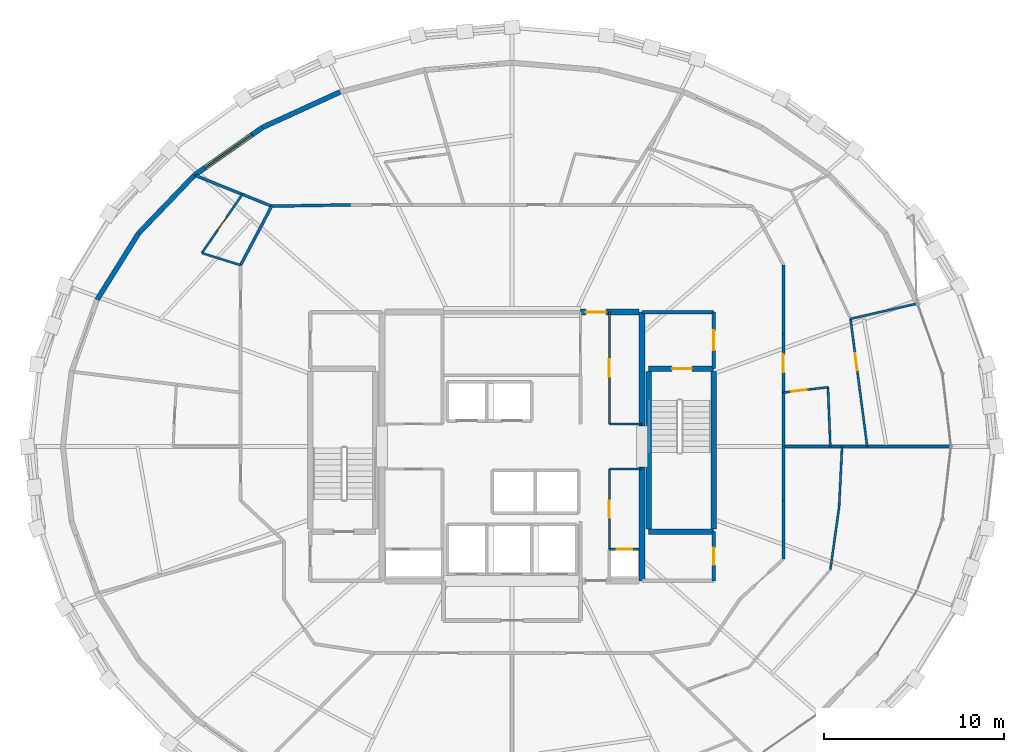
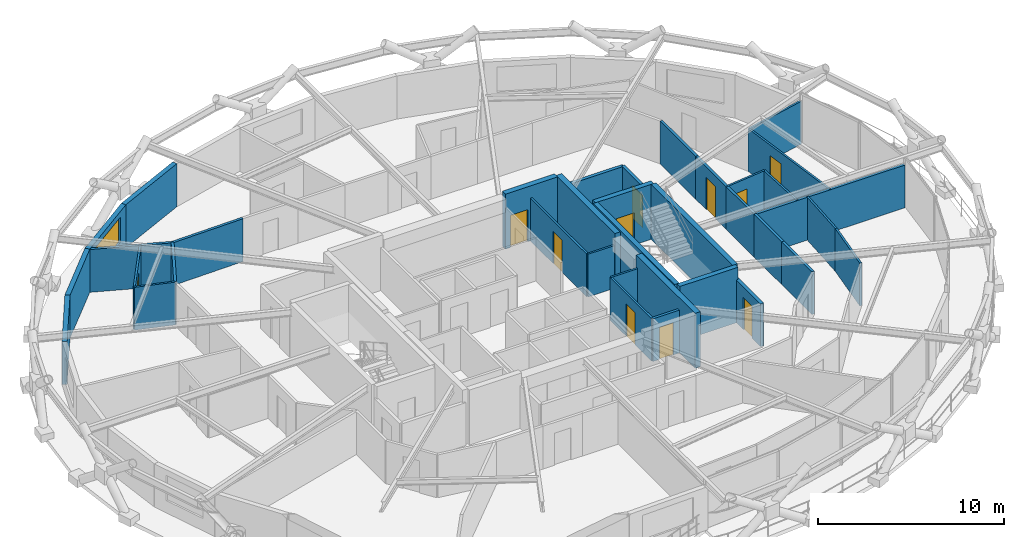
# One storey, part 14 of 16: 36 walls, 11 doors, 1 window, 12 openings.
"""IFC4 building model written with IfcOpenShell, lengths in metres."""

import ifcopenshell
import ifcopenshell.guid

model = None  # the IFC model being written
_history = None  # IfcOwnerHistory: only IFC2X3 demands one
_inside = {}  # id of a spatial element -> (the spatial element, [elements in it])
_under = {}  # id of a project, library or spatial element -> (it, [spatial elements below it])
_declared = {}  # id of a project -> (the project, [libraries it declares])
_typed = {}  # id of a type object -> (the type object, [elements of that type])
_made_of = {}  # id of a material, layer set ... -> (it, [elements and type objects made of it])


def new_model(schema):
    """Start an empty IFC model of exactly this schema.

    Asked for "IFC4X3", IfcOpenShell would pick the latest addendum, in which some entities
    have other attributes; the version numbers below select the first issue.
    IFC2X3 requires an IfcOwnerHistory on every rooted entity: one is made here for all.
    """
    global model, _history
    if schema == "IFC4X3":
        model = ifcopenshell.file(schema_version=(4, 3, 0, 0))
    else:
        model = ifcopenshell.file(schema=schema)
    _inside.clear()
    _under.clear()
    _declared.clear()
    _typed.clear()
    _made_of.clear()
    _history = None
    if model.schema == "IFC2X3":
        org = make("IfcOrganization", Name="unknown")
        user = make(
            "IfcPersonAndOrganization",
            ThePerson=make("IfcPerson", FamilyName="unknown"),
            TheOrganization=org,
        )
        app = make(
            "IfcApplication",
            ApplicationDeveloper=org,
            Version="unknown",
            ApplicationFullName="unknown",
            ApplicationIdentifier="unknown",
        )
        _history = make(
            "IfcOwnerHistory",
            OwningUser=user,
            OwningApplication=app,
            ChangeAction="ADDED",
            CreationDate=0,
        )
    return model


def make(cls, **values):
    """One entity of the class cls with the attributes given. An attribute that is None is left unset."""
    return model.create_entity(
        cls, **{name: value for name, value in values.items() if value is not None}
    )


def rooted(cls, **values):
    """An entity with a GlobalId (a new one), such as an element, a storey or a relation."""
    return make(cls, GlobalId=ifcopenshell.guid.new(), OwnerHistory=_history, **values)


def si_unit(unit_type, name, prefix=None):
    """IfcSIUnit, for example si_unit("LENGTHUNIT", "METRE", prefix="MILLI")."""
    return make("IfcSIUnit", UnitType=unit_type, Prefix=prefix, Name=name)


def assignment(units):
    """IfcUnitAssignment: the units of a project."""
    return None if units is None else make("IfcUnitAssignment", Units=units)


def point(xyz):
    """IfcCartesianPoint."""
    return None if xyz is None else make("IfcCartesianPoint", Coordinates=xyz)


def direction(xyz):
    """IfcDirection."""
    return None if xyz is None else make("IfcDirection", DirectionRatios=xyz)


def frame(location, z_axis=None, x_axis=None):
    """IfcAxis2Placement3D, a coordinate frame: its origin and axes. An axis left out is left unset."""
    return make(
        "IfcAxis2Placement3D",
        Location=point(location),
        Axis=direction(z_axis),
        RefDirection=direction(x_axis),
    )


def frame_2d(location, x_axis=None):
    """IfcAxis2Placement2D, a coordinate frame in the plane: its origin and x axis."""
    return make(
        "IfcAxis2Placement2D", Location=point(location), RefDirection=direction(x_axis)
    )


def origin():
    """The frame at (0, 0, 0) with its axes left unset."""
    return frame((0.0, 0.0, 0.0))


def place(relative_to, where):
    """IfcLocalPlacement: puts the frame where relative to a parent placement (None: the world)."""
    return make(
        "IfcLocalPlacement", PlacementRelTo=relative_to, RelativePlacement=where
    )


def context(
    kind, dimensions, precision=None, world=None, true_north=None, identifier=None
):
    """IfcGeometricRepresentationContext, for example the 3D "Model" context."""
    return make(
        "IfcGeometricRepresentationContext",
        ContextIdentifier=identifier,
        ContextType=kind,
        CoordinateSpaceDimension=dimensions,
        Precision=precision,
        WorldCoordinateSystem=world,
        TrueNorth=true_north,
    )


def subcontext(parent, identifier, kind, view, scale=None):
    """IfcGeometricRepresentationSubContext, for example "Body" below "Model"."""
    return make(
        "IfcGeometricRepresentationSubContext",
        ContextIdentifier=identifier,
        ContextType=kind,
        ParentContext=parent,
        TargetScale=scale,
        TargetView=view,
    )


def project(units=None, contexts=None):
    """IfcProject with its units and contexts."""
    return rooted(
        "IfcProject",
        Name="project",
        RepresentationContexts=contexts,
        UnitsInContext=assignment(units),
    )


def spatial(cls, under=None, at=None, **own):
    """A site, building, storey or space (cls), placed at a placement, below another one or the project."""
    s = rooted(cls, ObjectPlacement=at, **own)
    if under is not None:
        _under.setdefault(under.id(), (under, []))[1].append(s)
    return s


def profile(cls, at=None, kind="AREA", **sizes):
    """A parametric profile (cls). Its sizes go by their IFC names, for example OverallWidth=200.0."""
    return make(cls, ProfileType=kind, Position=at, **sizes)


def rectangle(**sizes):
    """IfcRectangleProfileDef."""
    return profile("IfcRectangleProfileDef", **sizes)


def extrude(swept, where, along, depth):
    """IfcExtrudedAreaSolid: the profile swept, set in the frame where, extruded along a direction by depth."""
    return make(
        "IfcExtrudedAreaSolid",
        SweptArea=swept,
        Position=where,
        ExtrudedDirection=direction(along),
        Depth=depth,
    )


def shape(context_of_items, identifier, shape_type, items):
    """IfcShapeRepresentation: the items that make up one representation, for example the "Body"."""
    return make(
        "IfcShapeRepresentation",
        ContextOfItems=context_of_items,
        RepresentationIdentifier=identifier,
        RepresentationType=shape_type,
        Items=items,
    )


def material(Name=None, Category=None):
    """IfcMaterial."""
    return make("IfcMaterial", Name=Name, Category=Category)


def layer(
    of_material, thickness, ventilated=None, Name=None, Category=None, Priority=None
):
    """IfcMaterialLayer: one layer of a wall or slab, of a material (None: an air gap)."""
    return make(
        "IfcMaterialLayer",
        Material=of_material,
        LayerThickness=thickness,
        IsVentilated=ventilated,
        Name=Name,
        Category=Category,
        Priority=Priority,
    )


def layer_set(layers, Name=None):
    """IfcMaterialLayerSet."""
    return make("IfcMaterialLayerSet", MaterialLayers=layers, LayerSetName=Name)


def made_of(thing, what):
    """Note that an element or type object is made of a material, layer set ...; save() writes the relation."""
    if what is not None:
        _made_of.setdefault(what.id(), (what, []))[1].append(thing)
    return thing


def type_object(cls, material=None, **own):
    """A type object (cls), such as IfcWallType, which elements share."""
    return made_of(rooted(cls, **own), material)


def element(
    cls,
    number,
    at=None,
    inside=None,
    cuts=None,
    type_object=None,
    material=None,
    context=None,
    identifier="Body",
    shape_type=None,
    held_by="IfcProductDefinitionShape",
    body=None,
    shapes=None,
    **own,
):
    """One element of the class cls, such as IfcWall. Its Tag is "e" and its number.

    at: its placement. inside: the storey or other place that contains it. cuts: it is an
    opening in that element (IfcRelVoidsElement). A single representation is given by context,
    identifier, shape_type and body (its items); several are given by shapes. held_by: the class
    of the entity that holds the representations. save() writes the other relations.
    """
    e = rooted(cls, Tag="e%d" % number, ObjectPlacement=at, **own)
    if body is not None:
        shapes = [shape(context, identifier, shape_type, body)]
    if shapes is not None:
        e.Representation = make(held_by, Representations=shapes)
    if inside is not None:
        _inside.setdefault(inside.id(), (inside, []))[1].append(e)
    if cuts is not None:
        rooted(
            "IfcRelVoidsElement", RelatingBuildingElement=cuts, RelatedOpeningElement=e
        )
    if type_object is not None:
        _typed.setdefault(type_object.id(), (type_object, []))[1].append(e)
    return made_of(e, material)


def fill(opening, filler):
    """IfcRelFillsElement: the door or window that sits in an opening."""
    return rooted(
        "IfcRelFillsElement",
        RelatingOpeningElement=opening,
        RelatedBuildingElement=filler,
    )


def aggregate(whole, parts):
    """IfcRelAggregates: a whole, such as a stair, and the parts it consists of."""
    return rooted("IfcRelAggregates", RelatingObject=whole, RelatedObjects=parts)


def save(model, path):
    """Write the relations noted so far, then the file.

    IfcRelAggregates (storeys below a building ...), IfcRelContainedInSpatialStructure (elements
    in a storey), IfcRelDefinesByType, IfcRelAssociatesMaterial and IfcRelDeclares: one each for
    every whole, place, type object, material and project.
    """
    for whole, parts in _under.values():
        aggregate(whole, parts)
    for where, things in _inside.values():
        rooted(
            "IfcRelContainedInSpatialStructure",
            RelatedElements=things,
            RelatingStructure=where,
        )
    for kind, things in _typed.values():
        rooted("IfcRelDefinesByType", RelatedObjects=things, RelatingType=kind)
    for what, things in _made_of.values():
        rooted("IfcRelAssociatesMaterial", RelatedObjects=things, RelatingMaterial=what)
    for by, libraries in _declared.values():
        rooted("IfcRelDeclares", RelatingContext=by, RelatedDefinitions=libraries)
    model.write(path)


model = new_model("IFC4")

# Units and contexts
model_context = context("Model", 3, precision=1e-05, world=origin(), true_north=direction((0.0, 1.0)))
body_context = subcontext(model_context, "Body", "Model", "MODEL_VIEW")
ifc_project = project(units=[si_unit("LENGTHUNIT", "METRE"), si_unit("AREAUNIT", "SQUARE_METRE"), si_unit("VOLUMEUNIT", "CUBIC_METRE"), si_unit("PLANEANGLEUNIT", "RADIAN"), si_unit("MASSUNIT", "GRAM", prefix="KILO")], contexts=[model_context])

# Site, building, storey
site_placement = place(None, origin())
site = spatial("IfcSite", under=ifc_project, at=site_placement, CompositionType="ELEMENT")
building_placement = place(site_placement, origin())
building = spatial("IfcBuilding", under=site, at=building_placement, Name="Veldorina Hangang Commons", CompositionType="ELEMENT")
storey_placement = place(building_placement, frame((0.0, 0.0, 192.800048828125)))
storey = spatial("IfcBuildingStorey", under=building, at=storey_placement, Name="L50", CompositionType="ELEMENT", Elevation=192.800048828125)

# Walls
ifc_material_1 = material(Name="Concrete C60/75", Category="concrete")
ifc_layer_1 = layer(ifc_material_1, 0.340087890625)
ifc_layer_set_1 = layer_set([ifc_layer_1], Name="Concrete C60/75")
wall_type_1 = type_object("IfcWallType", Name="CW-RC340-C60", PredefinedType="SHEAR", material=ifc_layer_set_1)
for number, where, z_axis, x_axis, name in (
    (1, (39.199951171875, 16.550048828125, 0.0), (0.0, 0.0, 1.0), (0.0, 1.0, 0.0), "L50 E south core shear wall"),
    (2, (39.199951171875, 25.14990234375, 0.0), (0.0, 0.0, 1.0), (0.0, 1.0, 0.0), "L50 E north core shear wall"),
):
    element("IfcWall", number, at=place(storey_placement, frame(where, z_axis=z_axis, x_axis=x_axis)), inside=storey, type_object=wall_type_1, Name=name, PredefinedType="SHEAR", context=body_context, shape_type="SweptSolid", body=[
        extrude(rectangle(XDim=6.300048828125, YDim=0.340087890625, at=frame_2d((3.14990234375, 0.0))), origin(), (0.0, 0.0, 1.0), 3.599853515625),
    ])

# Wall, opening, door
wall_1_placement = place(storey_placement, frame((35.800048828125, 31.449951171875, 0.0), z_axis=(0.0, 0.0, 1.0), x_axis=(1.0, 0.0, 0.0)))
wall_1 = element("IfcWall", 3, at=wall_1_placement, inside=storey, type_object=wall_type_1, Name="L50 north-east core shear wall", PredefinedType="SHEAR", context=body_context, shape_type="SweptSolid", body=[
    extrude(rectangle(XDim=3.22998046875, YDim=0.340087890625, at=frame_2d((1.614990234375, 0.0))), origin(), (0.0, 0.0, 1.0), 3.599853515625),
])
opening_1_placement = place(wall_1_placement, frame((0.300048828125, 0.0, 0.0)))
opening_1 = element("IfcOpeningElement", 4, at=opening_1_placement, cuts=wall_1, Name="Opening D-08", PredefinedType="OPENING", context=body_context, shape_type="SweptSolid", body=[
    extrude(rectangle(XDim=1.10009765625, YDim=2.10009765625, at=frame_2d((0.550048828125, 1.050048828125))), frame((0.0, 0.18017578125, 0.0), z_axis=(0.0, -1.0, 0.0), x_axis=(1.0, 0.0, 0.0)), (0.0, 0.0, 1.0), 0.360107421875),
])
ifc_material_2 = material(Name="Steel Fire-Rated Smoke Seal", Category="steel")
door_type_1 = type_object("IfcDoorType", Name="DR-FIRE-1100", OperationType="SINGLE_SWING_RIGHT", PredefinedType="DOOR", material=ifc_material_2)
door_1_placement = place(opening_1_placement, origin())
door_1 = element("IfcDoor", 5, at=door_1_placement, inside=storey, type_object=door_type_1, Name="L50 central lift lobby north corridor door", OperationType="SINGLE_SWING_LEFT", OverallHeight=2.10009765625, OverallWidth=1.10009765625, PredefinedType="DOOR", context=body_context, shape_type="SweptSolid", body=[
    extrude(rectangle(XDim=1.10009765625, YDim=2.10009765625, at=frame_2d((0.550048828125, 1.050048828125))), frame((0.0, 0.02490234375, 0.0), z_axis=(0.0, -1.0, 0.0), x_axis=(1.0, 0.0, 0.0)), (0.0, 0.0, 1.0), 0.050048828125),
])
fill(opening_1, door_1)

# Wall
ifc_material_3 = material(Name="Stone Roman Travertine", Category="masonry")
ifc_layer_2 = layer(ifc_material_3, 0.280029296875)
ifc_layer_set_2 = layer_set([ifc_layer_2], Name="Stone Roman Travertine")
wall_type_2 = type_object("IfcWallType", Name="EW-TRAV-280", PredefinedType="STANDARD", material=ifc_layer_set_2)
wall_2_placement = place(storey_placement, frame((22.47119140625, 43.65966796875, 0.0), z_axis=(0.0, 0.0, 1.0), x_axis=(-0.909587572303, -0.415512272155, 0.0)))
element("IfcWall", 6, at=wall_2_placement, inside=storey, type_object=wall_type_2, Name="L50 travertine facade wall 10", PredefinedType="STANDARD", context=body_context, shape_type="SweptSolid", body=[
    extrude(rectangle(XDim=4.73291015625, YDim=0.280029296875, at=frame_2d((2.366455078125, 0.0))), origin(), (0.0, 0.0, 1.0), 2.820068359375),
])

# Wall, opening, window
wall_3_placement = place(storey_placement, frame((18.166259765625, 41.693115234375, 0.0), z_axis=(0.0, 0.0, 1.0), x_axis=(-0.818721405334, -0.574190961657, 0.0)))
wall_3 = element("IfcWall", 7, at=wall_3_placement, inside=storey, type_object=wall_type_2, Name="L50 travertine facade wall 11", PredefinedType="STANDARD", context=body_context, shape_type="SweptSolid", body=[
    extrude(rectangle(XDim=4.608642578125, YDim=0.280029296875, at=frame_2d((2.30419921875, 0.0))), origin(), (0.0, 0.0, 1.0), 2.820068359375),
])
opening_2_placement = place(wall_3_placement, frame((0.704345703125, 0.0, 0.800048828125)))
opening_2 = element("IfcOpeningElement", 8, at=opening_2_placement, cuts=wall_3, Name="Opening W-01", PredefinedType="OPENING", context=body_context, shape_type="SweptSolid", body=[
    extrude(rectangle(XDim=3.199951171875, YDim=1.64990234375, at=frame_2d((1.60009765625, 0.824951171875))), frame((0.0, 0.14990234375, 0.0), z_axis=(0.0, -1.0, 0.0), x_axis=(1.0, 0.0, 0.0)), (0.0, 0.0, 1.0), 0.300048828125),
])
ifc_material_4 = material(Name="Glass Low-E Triple IGU", Category="glass")
window_type = type_object("IfcWindowType", Name="WIN-TWR-3200", PartitioningType="SINGLE_PANEL", PredefinedType="WINDOW", material=ifc_material_4)
window_placement = place(opening_2_placement, origin())
window = element("IfcWindow", 9, at=window_placement, inside=storey, type_object=window_type, Name="L50 facade window 11", OverallHeight=1.64990234375, OverallWidth=3.199951171875, PartitioningType="SINGLE_PANEL", PredefinedType="WINDOW", context=body_context, shape_type="SweptSolid", body=[
    extrude(rectangle(XDim=3.199951171875, YDim=1.64990234375, at=frame_2d((1.60009765625, 0.824951171875))), frame((0.0, 0.030029296875, 0.0), z_axis=(0.0, -1.0, 0.0), x_axis=(1.0, 0.0, 0.0)), (0.0, 0.0, 1.0), 0.06005859375),
])
fill(opening_2, window)

# Walls
wall_4_placement = place(storey_placement, frame((14.39306640625, 39.046875, 0.0), z_axis=(0.0, 0.0, 1.0), x_axis=(-0.692654585046, -0.721269454375, 0.0)))
element("IfcWall", 10, at=wall_4_placement, inside=storey, type_object=wall_type_2, Name="L50 travertine facade wall 12", PredefinedType="STANDARD", context=body_context, shape_type="SweptSolid", body=[
    extrude(rectangle(XDim=4.470703125, YDim=0.280029296875, at=frame_2d((2.2353515625, 0.0))), origin(), (0.0, 0.0, 1.0), 2.820068359375),
])
wall_5_placement = place(storey_placement, frame((11.29638671875, 35.822265625, 0.0), z_axis=(0.0, 0.0, 1.0), x_axis=(-0.530277064752, -0.847824412599, 0.0)))
element("IfcWall", 11, at=wall_5_placement, inside=storey, type_object=wall_type_2, Name="L50 travertine facade wall 13", PredefinedType="STANDARD", context=body_context, shape_type="SweptSolid", body=[
    extrude(rectangle(XDim=4.33935546875, YDim=0.280029296875, at=frame_2d((2.169677734375, 0.0))), origin(), (0.0, 0.0, 1.0), 2.820068359375),
])
ifc_material_5 = material(Name="Concrete C50/60", Category="concrete")
ifc_layer_3 = layer(ifc_material_5, 0.300048828125)
ifc_layer_set_3 = layer_set([ifc_layer_3], Name="Concrete C50/60")
wall_type_3 = type_object("IfcWallType", Name="SW-STAIR-300", PredefinedType="SHEAR", material=ifc_layer_set_3)
for number, where, z_axis, x_axis, name in (
    (12, (43.179931640625, 19.429931640625, 0.0), (0.0, 0.0, 1.0), (0.0, 1.0, 0.0), "L50 ST2 outer stair shear wall"),
    (13, (39.580078125, 19.429931640625, 0.0), (0.0, 0.0, 1.0), (0.0, 1.0, 0.0), "L50 ST2 inner stair shear wall"),
):
    element("IfcWall", number, at=place(storey_placement, frame(where, z_axis=z_axis, x_axis=x_axis)), inside=storey, type_object=wall_type_3, Name=name, PredefinedType="SHEAR", context=body_context, shape_type="SweptSolid", body=[
        extrude(rectangle(XDim=8.739990234375, YDim=0.300048828125, at=frame_2d((4.3701171875, 0.0))), origin(), (0.0, 0.0, 1.0), 3.599853515625),
    ])
wall_6_placement = place(storey_placement, frame((39.580078125, 19.280029296875, 0.0), z_axis=(0.0, 0.0, 1.0), x_axis=(1.0, 0.0, 0.0)))
element("IfcWall", 14, at=wall_6_placement, inside=storey, type_object=wall_type_3, Name="L50 ST2 south stair shear wall", PredefinedType="SHEAR", context=body_context, shape_type="SweptSolid", body=[
    extrude(rectangle(XDim=3.599853515625, YDim=0.300048828125, at=frame_2d((1.7998046875, 0.0))), origin(), (0.0, 0.0, 1.0), 3.599853515625),
])

# Wall, opening, door
wall_7_placement = place(storey_placement, frame((39.580078125, 28.320068359375, 0.0), z_axis=(0.0, 0.0, 1.0), x_axis=(1.0, 0.0, 0.0)))
wall_7 = element("IfcWall", 15, at=wall_7_placement, inside=storey, type_object=wall_type_3, Name="L50 ST2 north stair shear wall", PredefinedType="SHEAR", context=body_context, shape_type="SweptSolid", body=[
    extrude(rectangle(XDim=3.599853515625, YDim=0.300048828125, at=frame_2d((1.7998046875, 0.0))), origin(), (0.0, 0.0, 1.0), 3.599853515625),
])
opening_3_placement = place(wall_7_placement, frame((1.300048828125, 0.0, 0.0)))
opening_3 = element("IfcOpeningElement", 16, at=opening_3_placement, cuts=wall_7, Name="Opening D-08", PredefinedType="OPENING", context=body_context, shape_type="SweptSolid", body=[
    extrude(rectangle(XDim=1.10009765625, YDim=2.10009765625, at=frame_2d((0.550048828125, 1.050048828125))), frame((0.0, 0.16015625, 0.0), z_axis=(0.0, -1.0, 0.0), x_axis=(1.0, 0.0, 0.0)), (0.0, 0.0, 1.0), 0.320068359375),
])
door_2_placement = place(opening_3_placement, origin())
door_2 = element("IfcDoor", 17, at=door_2_placement, inside=storey, type_object=door_type_1, Name="L50 Special Escape Stair ST-2 door", OperationType="SINGLE_SWING_RIGHT", OverallHeight=2.10009765625, OverallWidth=1.10009765625, PredefinedType="DOOR", context=body_context, shape_type="SweptSolid", body=[
    extrude(rectangle(XDim=1.10009765625, YDim=2.10009765625, at=frame_2d((0.550048828125, 1.050048828125))), frame((0.0, 0.02490234375, 0.0), z_axis=(0.0, -1.0, 0.0), x_axis=(1.0, 0.0, 0.0)), (0.0, 0.0, 1.0), 0.050048828125),
])
fill(opening_3, door_2)

ifc_material_6 = material(Name="Gypsum Fire-Rated Twin Stud Wall", Category="gypsum")
ifc_layer_4 = layer(ifc_material_6, 0.159912109375)
ifc_layer_set_4 = layer_set([ifc_layer_4], Name="Gypsum Fire-Rated Twin Stud Wall")
wall_type_4 = type_object("IfcWallType", Name="WL-FIRE-160", PredefinedType="SOLIDWALL", material=ifc_layer_set_4)
wall_8_placement = place(storey_placement, frame((37.39990234375, 18.300048828125, 0.0), z_axis=(0.0, 0.0, 1.0), x_axis=(1.0, 0.0, 0.0)))
wall_8 = element("IfcWall", 18, at=wall_8_placement, inside=storey, type_object=wall_type_4, Name="L50 Plumbing riser wall 036", PredefinedType="SOLIDWALL", context=body_context, shape_type="SweptSolid", body=[
    extrude(rectangle(XDim=1.650146484375, YDim=0.159912109375, at=frame_2d((0.8251953125, 0.0))), origin(), (0.0, 0.0, 1.0), 2.800048828125),
])
opening_4_placement = place(wall_8_placement, frame((0.39501953125, 0.0, 0.0)))
opening_4 = element("IfcOpeningElement", 19, at=opening_4_placement, cuts=wall_8, Name="Opening D-01N", PredefinedType="OPENING", context=body_context, shape_type="SweptSolid", body=[
    extrude(rectangle(XDim=0.860107421875, YDim=2.10009765625, at=frame_2d((0.43017578125, 1.050048828125))), frame((0.0, 0.08984375, 0.0), z_axis=(0.0, -1.0, 0.0), x_axis=(1.0, 0.0, 0.0)), (0.0, 0.0, 1.0), 0.179931640625),
])
ifc_material_7 = material(Name="Timber Fire-Rated Core", Category="wood")
door_type_2 = type_object("IfcDoorType", Name="DR-INT-860", OperationType="SINGLE_SWING_LEFT", PredefinedType="DOOR", material=ifc_material_7)
door_3_placement = place(opening_4_placement, origin())
door_3 = element("IfcDoor", 20, at=door_3_placement, inside=storey, type_object=door_type_2, Name="L50 Plumbing riser access door 013", OperationType="SINGLE_SWING_LEFT", OverallHeight=2.10009765625, OverallWidth=0.860107421875, PredefinedType="TRAPDOOR", context=body_context, shape_type="SweptSolid", body=[
    extrude(rectangle(XDim=0.860107421875, YDim=2.10009765625, at=frame_2d((0.43017578125, 1.050048828125))), frame((0.0, 0.02490234375, 0.0), z_axis=(0.0, -1.0, 0.0), x_axis=(1.0, 0.0, 0.0)), (0.0, 0.0, 1.0), 0.050048828125),
])
fill(opening_4, door_3)

# Wall
wall_9_placement = place(storey_placement, frame((47.050048828125, 24.0, 0.0), z_axis=(0.0, 0.0, 1.0), x_axis=(0.0, 1.0, 0.0)))
element("IfcWall", 21, at=wall_9_placement, inside=storey, type_object=wall_type_4, Name="L50 U-corridor outer wall 00 044", PredefinedType="SOLIDWALL", context=body_context, shape_type="SweptSolid", body=[
    extrude(rectangle(XDim=2.99365234375, YDim=0.159912109375, at=frame_2d((1.496826171875, 0.0))), origin(), (0.0, 0.0, 1.0), 2.800048828125),
])

# Wall, opening, door
wall_10_placement = place(storey_placement, frame((47.050048828125, 26.99365234375, 0.0), z_axis=(0.0, 0.0, 1.0), x_axis=(0.0, 1.0, 0.0)))
wall_10 = element("IfcWall", 22, at=wall_10_placement, inside=storey, type_object=wall_type_4, Name="L50 U-corridor outer wall 01 045", PredefinedType="SOLIDWALL", context=body_context, shape_type="SweptSolid", body=[
    extrude(rectangle(XDim=3.240234375, YDim=0.159912109375, at=frame_2d((1.6201171875, 0.0))), origin(), (0.0, 0.0, 1.0), 2.800048828125),
])
opening_5_placement = place(wall_10_placement, frame((1.1201171875, 0.0, 0.0)))
opening_5 = element("IfcOpeningElement", 23, at=opening_5_placement, cuts=wall_10, Name="Opening D-06", PredefinedType="OPENING", context=body_context, shape_type="SweptSolid", body=[
    extrude(rectangle(XDim=1.0, YDim=2.10009765625, at=frame_2d((0.5, 1.050048828125))), frame((0.0, 0.08984375, 0.0), z_axis=(0.0, -1.0, 0.0), x_axis=(1.0, 0.0, 0.0)), (0.0, 0.0, 1.0), 0.179931640625),
])
ifc_material_8 = material(Name="Timber Fire-Rated Entrance Core", Category="wood")
door_type_3 = type_object("IfcDoorType", Name="DR-UNIT-1000", OperationType="SINGLE_SWING_LEFT", PredefinedType="DOOR", material=ifc_material_8)
door_4_placement = place(opening_5_placement, origin())
door_4 = element("IfcDoor", 24, at=door_4_placement, inside=storey, type_object=door_type_3, Name="L50 Cluster 2 entrance door 021", OperationType="SINGLE_SWING_LEFT", OverallHeight=2.10009765625, OverallWidth=1.0, PredefinedType="DOOR", context=body_context, shape_type="SweptSolid", body=[
    extrude(rectangle(XDim=1.0, YDim=2.10009765625, at=frame_2d((0.5, 1.050048828125))), frame((0.0, 0.02490234375, 0.0), z_axis=(0.0, -1.0, 0.0), x_axis=(1.0, 0.0, 0.0)), (0.0, 0.0, 1.0), 0.050048828125),
])
fill(opening_5, door_4)

# Walls
wall_11_placement = place(storey_placement, frame((47.050048828125, 30.23388671875, 0.0), z_axis=(0.0, 0.0, 1.0), x_axis=(0.0, 1.0, 0.0)))
element("IfcWall", 25, at=wall_11_placement, inside=storey, type_object=wall_type_4, Name="L50 U-corridor outer wall 02 046", PredefinedType="SOLIDWALL", context=body_context, shape_type="SweptSolid", body=[
    extrude(rectangle(XDim=3.822265625, YDim=0.159912109375, at=frame_2d((1.9111328125, 0.0))), origin(), (0.0, 0.0, 1.0), 2.800048828125),
])
wall_12_placement = place(storey_placement, frame((23.04638671875, 37.39990234375, 0.0), z_axis=(0.0, 0.0, 1.0), x_axis=(-0.999853038912, -0.017143528788, 0.0)))
element("IfcWall", 26, at=wall_12_placement, inside=storey, type_object=wall_type_4, Name="L50 U-corridor outer wall 11 055", PredefinedType="SOLIDWALL", context=body_context, shape_type="SweptSolid", body=[
    extrude(rectangle(XDim=4.3720703125, YDim=0.159912109375, at=frame_2d((2.18603515625, 0.0))), origin(), (0.0, 0.0, 1.0), 2.800048828125),
])
wall_13_placement = place(storey_placement, frame((18.675048828125, 37.324951171875, 0.0), z_axis=(0.0, 0.0, 1.0), x_axis=(-0.466737093093, -0.884396113702, 0.0)))
element("IfcWall", 27, at=wall_13_placement, inside=storey, type_object=wall_type_4, Name="L50 U-corridor outer wall 12 056", PredefinedType="SOLIDWALL", context=body_context, shape_type="SweptSolid", body=[
    extrude(rectangle(XDim=3.696044921875, YDim=0.159912109375, at=frame_2d((1.84814453125, 0.0))), origin(), (0.0, 0.0, 1.0), 2.800048828125),
])
wall_14_placement = place(storey_placement, frame((47.050048828125, 17.76611328125, 0.0), z_axis=(0.0, 0.0, 1.0), x_axis=(0.0, 1.0, 0.0)))
element("IfcWall", 28, at=wall_14_placement, inside=storey, type_object=wall_type_4, Name="L50 U-corridor outer wall 30 074", PredefinedType="SOLIDWALL", context=body_context, shape_type="SweptSolid", body=[
    extrude(rectangle(XDim=3.240234375, YDim=0.159912109375, at=frame_2d((1.6201171875, 0.0))), origin(), (0.0, 0.0, 1.0), 2.800048828125),
])
wall_15_placement = place(storey_placement, frame((47.050048828125, 21.00634765625, 0.0), z_axis=(0.0, 0.0, 1.0), x_axis=(0.0, 1.0, 0.0)))
element("IfcWall", 29, at=wall_15_placement, inside=storey, type_object=wall_type_4, Name="L50 U-corridor outer wall 31 075", PredefinedType="SOLIDWALL", context=body_context, shape_type="SweptSolid", body=[
    extrude(rectangle(XDim=2.99365234375, YDim=0.159912109375, at=frame_2d((1.496826171875, 0.0))), origin(), (0.0, 0.0, 1.0), 2.800048828125),
])
wall_16_placement = place(storey_placement, frame((47.050048828125, 24.0, 0.0), z_axis=(0.0, 0.0, 1.0), x_axis=(1.0, 0.0, 0.0)))
element("IfcWall", 30, at=wall_16_placement, inside=storey, type_object=wall_type_4, Name="L50 Unit party wall 00 082", PredefinedType="SOLIDWALL", context=body_context, shape_type="SweptSolid", body=[
    extrude(rectangle(XDim=9.239990234375, YDim=0.159912109375, at=frame_2d((4.6201171875, 0.0))), origin(), (0.0, 0.0, 1.0), 2.800048828125),
])
wall_17_placement = place(storey_placement, frame((18.675048828125, 37.324951171875, 0.0), z_axis=(0.0, 0.0, 1.0), x_axis=(-0.927803923055, 0.373068198007, 0.0)))
element("IfcWall", 31, at=wall_17_placement, inside=storey, type_object=wall_type_4, Name="L50 Unit party wall 12 096", PredefinedType="SOLIDWALL", context=body_context, shape_type="SweptSolid", body=[
    extrude(rectangle(XDim=4.565185546875, YDim=0.159912109375, at=frame_2d((2.28271484375, 0.0))), origin(), (0.0, 0.0, 1.0), 2.800048828125),
])

# Wall, opening, door
ifc_material_9 = material(Name="Concrete Blockwork Fire Wall C30/37", Category="masonry")
ifc_layer_5 = layer(ifc_material_9, 0.199951171875)
ifc_layer_set_5 = layer_set([ifc_layer_5], Name="Concrete Blockwork Fire Wall C30/37")
wall_type_5 = type_object("IfcWallType", Name="WL-FIRE-200", PredefinedType="SOLIDWALL", material=ifc_layer_set_5)
wall_18_placement = place(storey_placement, frame((43.179931640625, 28.320068359375, 0.0), z_axis=(0.0, 0.0, 1.0), x_axis=(0.0, 1.0, 0.0)))
wall_18 = element("IfcWall", 32, at=wall_18_placement, inside=storey, type_object=wall_type_5, Name="L50 East vestibule outer wall 003", PredefinedType="SOLIDWALL", context=body_context, shape_type="SweptSolid", body=[
    extrude(rectangle(XDim=3.1298828125, YDim=0.199951171875, at=frame_2d((1.56494140625, 0.0))), origin(), (0.0, 0.0, 1.0), 2.800048828125),
])
opening_6_placement = place(wall_18_placement, frame((1.014892578125, 0.0, 0.0)))
opening_6 = element("IfcOpeningElement", 33, at=opening_6_placement, cuts=wall_18, Name="Opening D-08", PredefinedType="OPENING", context=body_context, shape_type="SweptSolid", body=[
    extrude(rectangle(XDim=1.10009765625, YDim=2.10009765625, at=frame_2d((0.550048828125, 1.050048828125))), frame((0.0, 0.10986328125, 0.0), z_axis=(0.0, -1.0, 0.0), x_axis=(1.0, 0.0, 0.0)), (0.0, 0.0, 1.0), 0.219970703125),
])
door_5_placement = place(opening_6_placement, origin())
door_5 = element("IfcDoor", 34, at=door_5_placement, inside=storey, type_object=door_type_1, Name="L50 East vestibule east door 002", OperationType="SINGLE_SWING_RIGHT", OverallHeight=2.10009765625, OverallWidth=1.10009765625, PredefinedType="DOOR", context=body_context, shape_type="SweptSolid", body=[
    extrude(rectangle(XDim=1.10009765625, YDim=2.10009765625, at=frame_2d((0.550048828125, 1.050048828125))), frame((0.0, 0.02490234375, 0.0), z_axis=(0.0, -1.0, 0.0), x_axis=(1.0, 0.0, 0.0)), (0.0, 0.0, 1.0), 0.050048828125),
])
fill(opening_6, door_5)

# Wall
wall_19_placement = place(storey_placement, frame((39.199951171875, 31.449951171875, 0.0), z_axis=(0.0, 0.0, 1.0), x_axis=(1.0, 0.0, 0.0)))
element("IfcWall", 35, at=wall_19_placement, inside=storey, type_object=wall_type_5, Name="L50 East vestibule north wall 004", PredefinedType="SOLIDWALL", context=body_context, shape_type="SweptSolid", body=[
    extrude(rectangle(XDim=3.97998046875, YDim=0.199951171875, at=frame_2d((1.989990234375, 0.0))), origin(), (0.0, 0.0, 1.0), 2.800048828125),
])

# Wall, opening, door
wall_20_placement = place(storey_placement, frame((43.179931640625, 16.550048828125, 0.0), z_axis=(0.0, 0.0, 1.0), x_axis=(0.0, 1.0, 0.0)))
wall_20 = element("IfcWall", 36, at=wall_20_placement, inside=storey, type_object=wall_type_5, Name="L50 SE core room outer wall 007", PredefinedType="SOLIDWALL", context=body_context, shape_type="SweptSolid", body=[
    extrude(rectangle(XDim=2.72998046875, YDim=0.199951171875, at=frame_2d((1.364990234375, 0.0))), origin(), (0.0, 0.0, 1.0), 2.800048828125),
])
opening_7_placement = place(wall_20_placement, frame((0.889892578125, 0.0, 0.0)))
opening_7 = element("IfcOpeningElement", 37, at=opening_7_placement, cuts=wall_20, Name="Opening D-02", PredefinedType="OPENING", context=body_context, shape_type="SweptSolid", body=[
    extrude(rectangle(XDim=0.949951171875, YDim=2.10009765625, at=frame_2d((0.47509765625, 1.050048828125))), frame((0.0, 0.10986328125, 0.0), z_axis=(0.0, -1.0, 0.0), x_axis=(1.0, 0.0, 0.0)), (0.0, 0.0, 1.0), 0.219970703125),
])
ifc_material_10 = material(Name="Timber Solid Core Acoustic", Category="wood")
door_type_4 = type_object("IfcDoorType", Name="DR-INT-950", OperationType="SINGLE_SWING_LEFT", PredefinedType="DOOR", material=ifc_material_10)
door_6_placement = place(opening_7_placement, origin())
door_6 = element("IfcDoor", 38, at=door_6_placement, inside=storey, type_object=door_type_4, Name="L50 SE core WC door 004", OperationType="SINGLE_SWING_RIGHT", OverallHeight=2.10009765625, OverallWidth=0.949951171875, PredefinedType="DOOR", context=body_context, shape_type="SweptSolid", body=[
    extrude(rectangle(XDim=0.949951171875, YDim=2.10009765625, at=frame_2d((0.47509765625, 1.050048828125))), frame((0.0, 0.02490234375, 0.0), z_axis=(0.0, -1.0, 0.0), x_axis=(1.0, 0.0, 0.0)), (0.0, 0.0, 1.0), 0.050048828125),
])
fill(opening_7, door_6)

ifc_material_11 = material(Name="Gypsum Acoustic Stud Partition", Category="gypsum")
ifc_layer_6 = layer(ifc_material_11, 0.1201171875)
ifc_layer_set_6 = layer_set([ifc_layer_6], Name="Gypsum Acoustic Stud Partition")
wall_type_6 = type_object("IfcWallType", Name="WL-PART-120", PredefinedType="PARTITIONING", material=ifc_layer_set_6)
wall_21_placement = place(storey_placement, frame((37.39990234375, 25.25, 0.0), z_axis=(0.0, 0.0, 1.0), x_axis=(0.0, 1.0, 0.0)))
wall_21 = element("IfcWall", 39, at=wall_21_placement, inside=storey, type_object=wall_type_6, Name="L50 NE strip lobby wall 040", PredefinedType="PARTITIONING", context=body_context, shape_type="SweptSolid", body=[
    extrude(rectangle(XDim=6.199951171875, YDim=0.1201171875, at=frame_2d((3.10009765625, 0.0))), origin(), (0.0, 0.0, 1.0), 2.800048828125),
])
opening_8_placement = place(wall_21_placement, frame((2.625, 0.0, 0.0)))
opening_8 = element("IfcOpeningElement", 40, at=opening_8_placement, cuts=wall_21, Name="Opening D-02", PredefinedType="OPENING", context=body_context, shape_type="SweptSolid", body=[
    extrude(rectangle(XDim=0.949951171875, YDim=2.10009765625, at=frame_2d((0.47509765625, 1.050048828125))), frame((0.0, 0.070068359375, 0.0), z_axis=(0.0, -1.0, 0.0), x_axis=(1.0, 0.0, 0.0)), (0.0, 0.0, 1.0), 0.14013671875),
])
door_7_placement = place(opening_8_placement, origin())
door_7 = element("IfcDoor", 41, at=door_7_placement, inside=storey, type_object=door_type_4, Name="L50 Comms room door 016", OperationType="SINGLE_SWING_RIGHT", OverallHeight=2.10009765625, OverallWidth=0.949951171875, PredefinedType="DOOR", context=body_context, shape_type="SweptSolid", body=[
    extrude(rectangle(XDim=0.949951171875, YDim=2.10009765625, at=frame_2d((0.47509765625, 1.050048828125))), frame((0.0, 0.02490234375, 0.0), z_axis=(0.0, -1.0, 0.0), x_axis=(1.0, 0.0, 0.0)), (0.0, 0.0, 1.0), 0.050048828125),
])
fill(opening_8, door_7)

# Wall
wall_22_placement = place(storey_placement, frame((37.39990234375, 25.25, 0.0), z_axis=(0.0, 0.0, 1.0), x_axis=(1.0, 0.0, 0.0)))
element("IfcWall", 42, at=wall_22_placement, inside=storey, type_object=wall_type_6, Name="L50 NE strip south return wall 041", PredefinedType="PARTITIONING", context=body_context, shape_type="SweptSolid", body=[
    extrude(rectangle(XDim=1.800048828125, YDim=0.1201171875, at=frame_2d((0.89990234375, 0.0))), origin(), (0.0, 0.0, 1.0), 2.800048828125),
])

# Wall, opening, door
wall_23_placement = place(storey_placement, frame((37.39990234375, 18.300048828125, 0.0), z_axis=(0.0, 0.0, 1.0), x_axis=(0.0, 1.0, 0.0)))
wall_23 = element("IfcWall", 43, at=wall_23_placement, inside=storey, type_object=wall_type_6, Name="L50 SE strip lobby wall 042", PredefinedType="PARTITIONING", context=body_context, shape_type="SweptSolid", body=[
    extrude(rectangle(XDim=4.449951171875, YDim=0.1201171875, at=frame_2d((2.22509765625, 0.0))), origin(), (0.0, 0.0, 1.0), 2.800048828125),
])
opening_9_placement = place(wall_23_placement, frame((1.75, 0.0, 0.0)))
opening_9 = element("IfcOpeningElement", 44, at=opening_9_placement, cuts=wall_23, Name="Opening D-02", PredefinedType="OPENING", context=body_context, shape_type="SweptSolid", body=[
    extrude(rectangle(XDim=0.949951171875, YDim=2.10009765625, at=frame_2d((0.47509765625, 1.050048828125))), frame((0.0, 0.070068359375, 0.0), z_axis=(0.0, -1.0, 0.0), x_axis=(1.0, 0.0, 0.0)), (0.0, 0.0, 1.0), 0.14013671875),
])
door_8_placement = place(opening_9_placement, origin())
door_8 = element("IfcDoor", 45, at=door_8_placement, inside=storey, type_object=door_type_4, Name="L50 BMS closet door 017", OperationType="SINGLE_SWING_LEFT", OverallHeight=2.10009765625, OverallWidth=0.949951171875, PredefinedType="DOOR", context=body_context, shape_type="SweptSolid", body=[
    extrude(rectangle(XDim=0.949951171875, YDim=2.10009765625, at=frame_2d((0.47509765625, 1.050048828125))), frame((0.0, 0.02490234375, 0.0), z_axis=(0.0, -1.0, 0.0), x_axis=(1.0, 0.0, 0.0)), (0.0, 0.0, 1.0), 0.050048828125),
])
fill(opening_9, door_8)

# Walls
wall_24_placement = place(storey_placement, frame((37.39990234375, 22.75, 0.0), z_axis=(0.0, 0.0, 1.0), x_axis=(1.0, 0.0, 0.0)))
element("IfcWall", 46, at=wall_24_placement, inside=storey, type_object=wall_type_6, Name="L50 SE strip north return wall 043", PredefinedType="PARTITIONING", context=body_context, shape_type="SweptSolid", body=[
    extrude(rectangle(XDim=1.800048828125, YDim=0.1201171875, at=frame_2d((0.89990234375, 0.0))), origin(), (0.0, 0.0, 1.0), 2.800048828125),
])
wall_25_placement = place(storey_placement, frame((49.653076171875, 17.1728515625, 0.0), z_axis=(0.0, 0.0, 1.0), x_axis=(0.138452193773, 0.990369118076, 0.0)))
element("IfcWall", 47, at=wall_25_placement, inside=storey, type_object=wall_type_6, Name="L50 Lounge alcove split 3 080", PredefinedType="PARTITIONING", context=body_context, shape_type="SweptSolid", body=[
    extrude(rectangle(XDim=3.500244140625, YDim=0.1201171875, at=frame_2d((1.75, 0.0))), origin(), (0.0, 0.0, 1.0), 2.800048828125),
])
wall_26_placement = place(storey_placement, frame((50.1376953125, 20.639404296875, 0.0), z_axis=(0.0, 0.0, 1.0), x_axis=(0.048689007284, 0.998813986971, 0.0)))
element("IfcWall", 48, at=wall_26_placement, inside=storey, type_object=wall_type_6, Name="L50 Lounge alcove split 4 081", PredefinedType="PARTITIONING", context=body_context, shape_type="SweptSolid", body=[
    extrude(rectangle(XDim=3.364501953125, YDim=0.1201171875, at=frame_2d((1.68212890625, 0.0))), origin(), (0.0, 0.0, 1.0), 2.800048828125),
])
wall_27_placement = place(storey_placement, frame((49.651123046875, 24.0, 0.0), z_axis=(0.0, 0.0, 1.0), x_axis=(-0.039778354948, 0.999208528025, 0.0)))
element("IfcWall", 49, at=wall_27_placement, inside=storey, type_object=wall_type_6, Name="L50 Cluster 2 bath front wall 083", PredefinedType="PARTITIONING", context=body_context, shape_type="SweptSolid", body=[
    extrude(rectangle(XDim=3.289794921875, YDim=0.1201171875, at=frame_2d((1.64501953125, 0.0))), origin(), (0.0, 0.0, 1.0), 2.800048828125),
])

# Wall, opening, door
wall_28_placement = place(storey_placement, frame((47.050048828125, 26.99365234375, 0.0), z_axis=(0.0, 0.0, 1.0), x_axis=(0.993017319692, 0.117968651736, 0.0)))
wall_28 = element("IfcWall", 50, at=wall_28_placement, inside=storey, type_object=wall_type_6, Name="L50 Cluster 2 bath side wall 084", PredefinedType="PARTITIONING", context=body_context, shape_type="SweptSolid", body=[
    extrude(rectangle(XDim=2.487548828125, YDim=0.1201171875, at=frame_2d((1.24365234375, 0.0))), origin(), (0.0, 0.0, 1.0), 2.800048828125),
])
opening_10_placement = place(wall_28_placement, frame((0.43994140625, 0.0, 0.0)))
opening_10 = element("IfcOpeningElement", 51, at=opening_10_placement, cuts=wall_28, Name="Opening D-01", PredefinedType="OPENING", context=body_context, shape_type="SweptSolid", body=[
    extrude(rectangle(XDim=0.860107421875, YDim=2.10009765625, at=frame_2d((0.43017578125, 1.050048828125))), frame((0.0, 0.070068359375, 0.0), z_axis=(0.0, -1.0, 0.0), x_axis=(1.0, 0.0, 0.0)), (0.0, 0.0, 1.0), 0.14013671875),
])
ifc_material_12 = material(Name="Timber Moisture-Resistant Core", Category="wood")
door_type_5 = type_object("IfcDoorType", Name="DR-WET-860", OperationType="SINGLE_SWING_LEFT", PredefinedType="DOOR", material=ifc_material_12)
door_9_placement = place(opening_10_placement, origin())
door_9 = element("IfcDoor", 52, at=door_9_placement, inside=storey, type_object=door_type_5, Name="L50 Cluster 2 shared bathroom door 020", OperationType="SINGLE_SWING_RIGHT", OverallHeight=2.10009765625, OverallWidth=0.860107421875, PredefinedType="DOOR", context=body_context, shape_type="SweptSolid", body=[
    extrude(rectangle(XDim=0.860107421875, YDim=2.10009765625, at=frame_2d((0.43017578125, 1.050048828125))), frame((0.0, 0.02490234375, 0.0), z_axis=(0.0, -1.0, 0.0), x_axis=(1.0, 0.0, 0.0)), (0.0, 0.0, 1.0), 0.050048828125),
])
fill(opening_10, door_9)

wall_29_placement = place(storey_placement, frame((51.695068359375, 24.0, 0.0), z_axis=(0.0, 0.0, 1.0), x_axis=(-0.129733767917, 0.99154886388, 0.0)))
wall_29 = element("IfcWall", 53, at=wall_29_placement, inside=storey, type_object=wall_type_6, Name="L50 Cluster 2 bed 1 front wall 085", PredefinedType="PARTITIONING", context=body_context, shape_type="SweptSolid", body=[
    extrude(rectangle(XDim=7.1416015625, YDim=0.1201171875, at=frame_2d((3.57080078125, 0.0))), origin(), (0.0, 0.0, 1.0), 2.800048828125),
])
opening_11_placement = place(wall_29_placement, frame((4.264404296875, 0.0, 0.0)))
opening_11 = element("IfcOpeningElement", 54, at=opening_11_placement, cuts=wall_29, Name="Opening D-02", PredefinedType="OPENING", context=body_context, shape_type="SweptSolid", body=[
    extrude(rectangle(XDim=0.949951171875, YDim=2.10009765625, at=frame_2d((0.47509765625, 1.050048828125))), frame((0.0, 0.070068359375, 0.0), z_axis=(0.0, -1.0, 0.0), x_axis=(1.0, 0.0, 0.0)), (0.0, 0.0, 1.0), 0.14013671875),
])
door_10_placement = place(opening_11_placement, origin())
door_10 = element("IfcDoor", 55, at=door_10_placement, inside=storey, type_object=door_type_4, Name="L50 Cluster 2 bed 1 door 022", OperationType="SINGLE_SWING_RIGHT", OverallHeight=2.10009765625, OverallWidth=0.949951171875, PredefinedType="DOOR", context=body_context, shape_type="SweptSolid", body=[
    extrude(rectangle(XDim=0.949951171875, YDim=2.10009765625, at=frame_2d((0.47509765625, 1.050048828125))), frame((0.0, 0.02490234375, 0.0), z_axis=(0.0, -1.0, 0.0), x_axis=(1.0, 0.0, 0.0)), (0.0, 0.0, 1.0), 0.050048828125),
])
fill(opening_11, door_10)

# Wall
wall_30_placement = place(storey_placement, frame((50.7685546875, 31.081298828125, 0.0), z_axis=(0.0, 0.0, 1.0), x_axis=(0.97498354511, 0.222277049567, 0.0)))
element("IfcWall", 56, at=wall_30_placement, inside=storey, type_object=wall_type_6, Name="L50 Cluster 2 bed divider 1 087", PredefinedType="PARTITIONING", context=body_context, shape_type="SweptSolid", body=[
    extrude(rectangle(XDim=3.76416015625, YDim=0.1201171875, at=frame_2d((1.882080078125, 0.0))), origin(), (0.0, 0.0, 1.0), 2.800048828125),
])

# Wall, opening, door
wall_31_placement = place(storey_placement, frame((17.0478515625, 37.979248046875, 0.0), z_axis=(0.0, 0.0, 1.0), x_axis=(-0.568352045018, -0.822785484147, 0.0)))
wall_31 = element("IfcWall", 57, at=wall_31_placement, inside=storey, type_object=wall_type_6, Name="L50 Studio 5 bath front wall 097", PredefinedType="PARTITIONING", context=body_context, shape_type="SweptSolid", body=[
    extrude(rectangle(XDim=3.952392578125, YDim=0.1201171875, at=frame_2d((1.97607421875, 0.0))), origin(), (0.0, 0.0, 1.0), 2.800048828125),
])
opening_12_placement = place(wall_31_placement, frame((1.546142578125, 0.0, 0.0)))
opening_12 = element("IfcOpeningElement", 58, at=opening_12_placement, cuts=wall_31, Name="Opening D-01", PredefinedType="OPENING", context=body_context, shape_type="SweptSolid", body=[
    extrude(rectangle(XDim=0.860107421875, YDim=2.10009765625, at=frame_2d((0.43017578125, 1.050048828125))), frame((0.0, 0.070068359375, 0.0), z_axis=(0.0, -1.0, 0.0), x_axis=(1.0, 0.0, 0.0)), (0.0, 0.0, 1.0), 0.14013671875),
])
door_11_placement = place(opening_12_placement, origin())
door_11 = element("IfcDoor", 59, at=door_11_placement, inside=storey, type_object=door_type_5, Name="L50 Studio 5 bathroom door 029", OperationType="SINGLE_SWING_LEFT", OverallHeight=2.10009765625, OverallWidth=0.860107421875, PredefinedType="DOOR", context=body_context, shape_type="SweptSolid", body=[
    extrude(rectangle(XDim=0.860107421875, YDim=2.10009765625, at=frame_2d((0.43017578125, 1.050048828125))), frame((0.0, 0.02490234375, 0.0), z_axis=(0.0, -1.0, 0.0), x_axis=(1.0, 0.0, 0.0)), (0.0, 0.0, 1.0), 0.050048828125),
])
fill(opening_12, door_11)

# Wall
wall_32_placement = place(storey_placement, frame((16.949951171875, 34.05615234375, 0.0), z_axis=(0.0, 0.0, 1.0), x_axis=(-0.954510853245, 0.298176174497, 0.0)))
element("IfcWall", 60, at=wall_32_placement, inside=storey, type_object=wall_type_6, Name="L50 Studio 5 bath side wall 098", PredefinedType="PARTITIONING", context=body_context, shape_type="SweptSolid", body=[
    extrude(rectangle(XDim=2.250732421875, YDim=0.1201171875, at=frame_2d((1.12548828125, 0.0))), origin(), (0.0, 0.0, 1.0), 2.800048828125),
])

save(model, "model.ifc")
